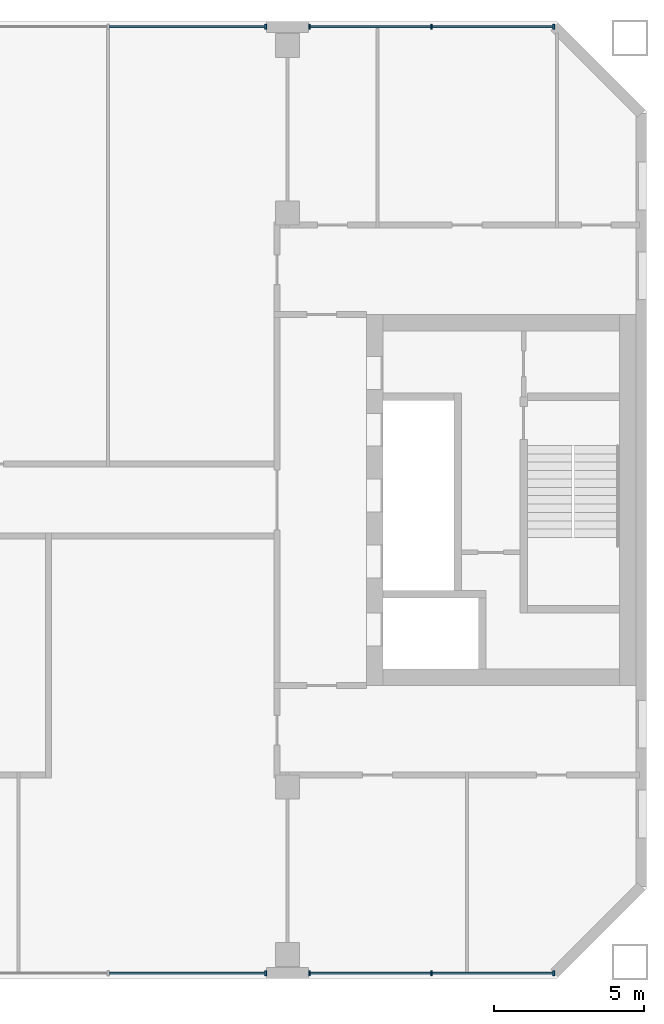
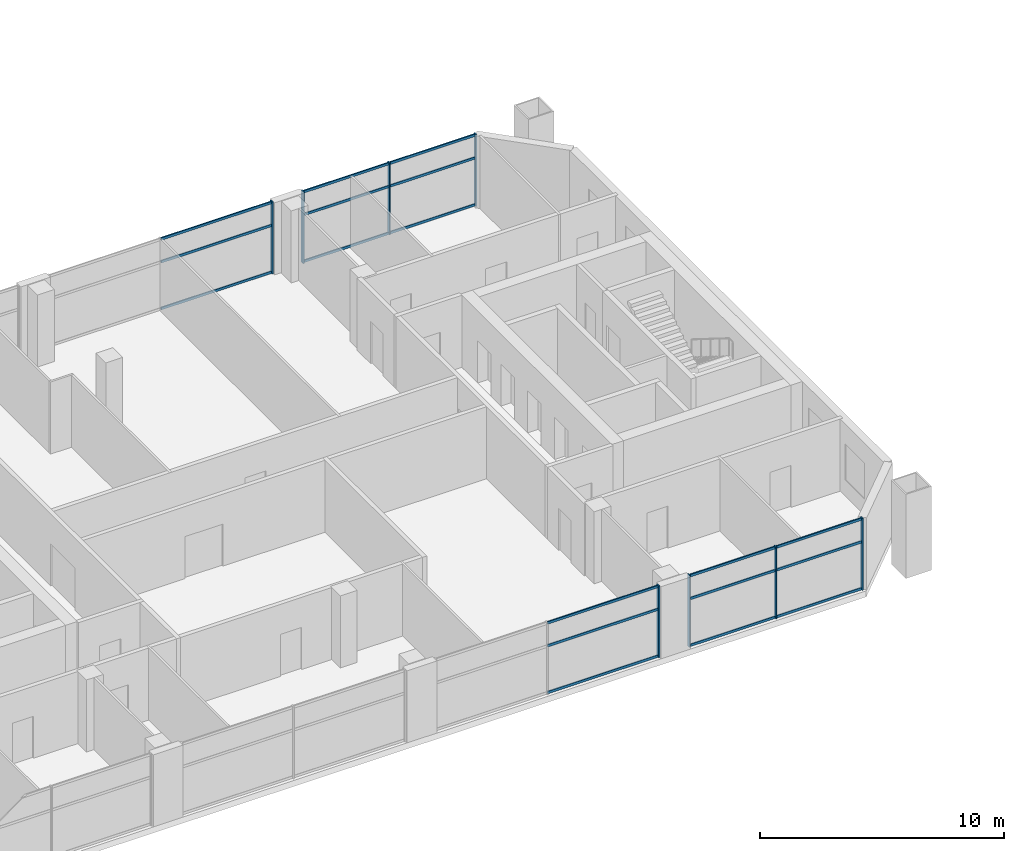
# One storey, part 4 of 17: 26 members, 4 elements without a shape of their own.
"""IFC4 building model written with IfcOpenShell, lengths in metres."""

from ifc_helpers import new_model, si_unit, direction, frame, origin, origin_2d, place, context, subcontext, project, spatial, rectangle, extrude, material, material_profile, profile_set, type_object, element, aggregate, save


model = new_model("IFC4")

# Units and contexts
model_context = context("Model", 3, precision=1e-05, world=origin(), true_north=direction((0.0, 1.0)))
body_context = subcontext(model_context, "Body", "Model", "MODEL_VIEW")
ifc_project = project(units=[si_unit("LENGTHUNIT", "METRE"), si_unit("AREAUNIT", "SQUARE_METRE"), si_unit("VOLUMEUNIT", "CUBIC_METRE"), si_unit("PLANEANGLEUNIT", "RADIAN"), si_unit("MASSUNIT", "GRAM", prefix="KILO")], contexts=[model_context])

# Site, building, storey
site_placement = place(None, origin())
site = spatial("IfcSite", under=ifc_project, at=site_placement, CompositionType="ELEMENT")
building_placement = place(site_placement, origin())
building = spatial("IfcBuilding", under=site, at=building_placement, Name="Tuart Gate Housing", CompositionType="ELEMENT")
storey_placement = place(building_placement, frame((0.0, 0.0, 119.5)))
storey = spatial("IfcBuildingStorey", under=building, at=storey_placement, Name="L33", CompositionType="ELEMENT", Elevation=119.5)

# Curtain wall, member
ifc_material_1 = material(Name="Aluminium and clear glass", Category="aluminium")
curtain_wall_type = type_object("IfcCurtainWallType", Name="Community floor glazing", PredefinedType="USERDEFINED", material=ifc_material_1)
curtain_wall_1_placement = place(storey_placement, origin())
curtain_wall_1 = element("IfcCurtainWall", 1, at=curtain_wall_1_placement, inside=storey, type_object=curtain_wall_type, Name="Community floor glazing A-S L33", ObjectType="COMMUNITY FLOOR GLAZING", PredefinedType="USERDEFINED")
ifc_material_2 = material(Name="Anodised aluminium", Category="aluminium")
ifc_material_profile_1 = material_profile(ifc_material_2, rectangle(XDim=0.06005859375, YDim=0.159912109375, at=origin_2d()), Name="60x160")
ifc_profile_set_1 = profile_set([ifc_material_profile_1], Name="Anodised aluminium")
member_type_1 = type_object("IfcMemberType", Name="Mullion 60 x 160", PredefinedType="MULLION", material=ifc_profile_set_1)
member_1_placement = place(storey_placement, frame((63.27001953125, 54.179931640625, 0.0), z_axis=(0.0, 0.0, 1.0), x_axis=(1.0, 0.0, 0.0)))
member_1 = element("IfcMember", 2, at=member_1_placement, type_object=member_type_1, Name="CW3 mullion 3", PredefinedType="MULLION", context=body_context, shape_type="SweptSolid", body=[
    extrude(rectangle(XDim=0.06005859375, YDim=0.159912109375, at=origin_2d()), origin(), (0.0, 0.0, 1.0), 3.60009765625),
])

# Curtain wall, members
curtain_wall_2_placement = place(storey_placement, origin())
curtain_wall_2 = element("IfcCurtainWall", 3, at=curtain_wall_2_placement, inside=storey, type_object=curtain_wall_type, Name="Community floor glazing A-S L33", ObjectType="COMMUNITY FLOOR GLAZING", PredefinedType="USERDEFINED")
member_2_placement = place(storey_placement, frame((64.72998046875, 54.179931640625, 0.0), z_axis=(0.0, 0.0, 1.0), x_axis=(1.0, 0.0, 0.0)))
member_2 = element("IfcMember", 4, at=member_2_placement, type_object=member_type_1, Name="CW3 mullion 1", PredefinedType="MULLION", context=body_context, shape_type="SweptSolid", body=[
    extrude(rectangle(XDim=0.06005859375, YDim=0.159912109375, at=origin_2d()), origin(), (0.0, 0.0, 1.0), 3.60009765625),
])
member_3_placement = place(storey_placement, frame((68.812744140625, 54.179931640625, 0.0), z_axis=(0.0, 0.0, 1.0), x_axis=(1.0, 0.0, 0.0)))
member_3 = element("IfcMember", 5, at=member_3_placement, type_object=member_type_1, Name="CW3 mullion 2", PredefinedType="MULLION", context=body_context, shape_type="SweptSolid", body=[
    extrude(rectangle(XDim=0.06005859375, YDim=0.159912109375, at=origin_2d()), origin(), (0.0, 0.0, 1.0), 3.60009765625),
])
member_4_placement = place(storey_placement, frame((72.8955078125, 54.179931640625, 0.0), z_axis=(0.0, 0.0, 1.0), x_axis=(1.0, 0.0, 0.0)))
member_4 = element("IfcMember", 6, at=member_4_placement, type_object=member_type_1, Name="CW3 mullion 3", PredefinedType="MULLION", context=body_context, shape_type="SweptSolid", body=[
    extrude(rectangle(XDim=0.06005859375, YDim=0.159912109375, at=origin_2d()), origin(), (0.0, 0.0, 1.0), 3.60009765625),
])

curtain_wall_3_placement = place(storey_placement, origin())
curtain_wall_3 = element("IfcCurtainWall", 7, at=curtain_wall_3_placement, inside=storey, type_object=curtain_wall_type, Name="Community floor glazing A-N L33", ObjectType="COMMUNITY FLOOR GLAZING", PredefinedType="USERDEFINED")
member_5_placement = place(storey_placement, frame((72.8955078125, 85.820068359375, 0.0), z_axis=(0.0, 0.0, 1.0), x_axis=(-1.0, 0.0, 0.0)))
member_5 = element("IfcMember", 8, at=member_5_placement, type_object=member_type_1, Name="CW3 mullion 1", PredefinedType="MULLION", context=body_context, shape_type="SweptSolid", body=[
    extrude(rectangle(XDim=0.06005859375, YDim=0.159912109375, at=origin_2d()), origin(), (0.0, 0.0, 1.0), 3.60009765625),
])
member_6_placement = place(storey_placement, frame((68.812744140625, 85.820068359375, 0.0), z_axis=(0.0, 0.0, 1.0), x_axis=(-1.0, 0.0, 0.0)))
member_6 = element("IfcMember", 9, at=member_6_placement, type_object=member_type_1, Name="CW3 mullion 2", PredefinedType="MULLION", context=body_context, shape_type="SweptSolid", body=[
    extrude(rectangle(XDim=0.06005859375, YDim=0.159912109375, at=origin_2d()), origin(), (0.0, 0.0, 1.0), 3.60009765625),
])
member_7_placement = place(storey_placement, frame((64.72998046875, 85.820068359375, 0.0), z_axis=(0.0, 0.0, 1.0), x_axis=(-1.0, 0.0, 0.0)))
member_7 = element("IfcMember", 10, at=member_7_placement, type_object=member_type_1, Name="CW3 mullion 3", PredefinedType="MULLION", context=body_context, shape_type="SweptSolid", body=[
    extrude(rectangle(XDim=0.06005859375, YDim=0.159912109375, at=origin_2d()), origin(), (0.0, 0.0, 1.0), 3.60009765625),
])

# Curtain wall, member
curtain_wall_4_placement = place(storey_placement, origin())
curtain_wall_4 = element("IfcCurtainWall", 11, at=curtain_wall_4_placement, inside=storey, type_object=curtain_wall_type, Name="Community floor glazing A-N L33", ObjectType="COMMUNITY FLOOR GLAZING", PredefinedType="USERDEFINED")
member_8_placement = place(storey_placement, frame((63.27001953125, 85.820068359375, 0.0), z_axis=(0.0, 0.0, 1.0), x_axis=(-1.0, 0.0, 0.0)))
member_8 = element("IfcMember", 12, at=member_8_placement, type_object=member_type_1, Name="CW3 mullion 1", PredefinedType="MULLION", context=body_context, shape_type="SweptSolid", body=[
    extrude(rectangle(XDim=0.06005859375, YDim=0.159912109375, at=origin_2d()), origin(), (0.0, 0.0, 1.0), 3.60009765625),
])

# Member
ifc_material_3 = material(Name="Anodised aluminium", Category="aluminium")
ifc_material_profile_2 = material_profile(ifc_material_3, rectangle(XDim=0.06005859375, YDim=0.1201171875, at=origin_2d()), Name="60x120")
ifc_profile_set_2 = profile_set([ifc_material_profile_2], Name="Anodised aluminium")
member_type_2 = type_object("IfcMemberType", Name="Transom 60 x 120", PredefinedType="USERDEFINED", material=ifc_profile_set_2)
member_9_placement = place(storey_placement, frame((58.030029296875, 54.179931640625, 0.06005859375), z_axis=(1.0, 0.0, 0.0), x_axis=(0.0, 1.0, 0.0)))
member_9 = element("IfcMember", 13, at=member_9_placement, type_object=member_type_2, Name="CW3 transom 2.1", ObjectType="TRANSOM", PredefinedType="USERDEFINED", context=body_context, shape_type="SweptSolid", body=[
    extrude(rectangle(XDim=0.06005859375, YDim=0.1201171875, at=origin_2d()), origin(), (0.0, 0.0, 1.0), 5.2099609375),
])

member_10_placement = place(storey_placement, frame((58.030029296875, 54.179931640625, 2.39990234375), z_axis=(1.0, 0.0, 0.0), x_axis=(0.0, 1.0, 0.0)))
member_10 = element("IfcMember", 14, at=member_10_placement, type_object=member_type_2, Name="CW3 transom 2.2", ObjectType="TRANSOM", PredefinedType="USERDEFINED", context=body_context, shape_type="SweptSolid", body=[
    extrude(rectangle(XDim=0.06005859375, YDim=0.1201171875, at=origin_2d()), origin(), (0.0, 0.0, 1.0), 5.2099609375),
])

member_11_placement = place(storey_placement, frame((58.030029296875, 54.179931640625, 3.5400390625), z_axis=(1.0, 0.0, 0.0), x_axis=(0.0, 1.0, 0.0)))
member_11 = element("IfcMember", 15, at=member_11_placement, type_object=member_type_2, Name="CW3 transom 2.3", ObjectType="TRANSOM", PredefinedType="USERDEFINED", context=body_context, shape_type="SweptSolid", body=[
    extrude(rectangle(XDim=0.06005859375, YDim=0.1201171875, at=origin_2d()), origin(), (0.0, 0.0, 1.0), 5.2099609375),
])

aggregate(curtain_wall_1, [member_1, member_9, member_10, member_11])

member_12_placement = place(storey_placement, frame((64.760009765625, 54.179931640625, 0.06005859375), z_axis=(1.0, 0.0, 0.0), x_axis=(0.0, 1.0, 0.0)))
member_12 = element("IfcMember", 16, at=member_12_placement, type_object=member_type_2, Name="CW3 transom 1.1", ObjectType="TRANSOM", PredefinedType="USERDEFINED", context=body_context, shape_type="SweptSolid", body=[
    extrude(rectangle(XDim=0.06005859375, YDim=0.1201171875, at=origin_2d()), origin(), (0.0, 0.0, 1.0), 4.022705078125),
])

member_13_placement = place(storey_placement, frame((64.760009765625, 54.179931640625, 2.39990234375), z_axis=(1.0, 0.0, 0.0), x_axis=(0.0, 1.0, 0.0)))
member_13 = element("IfcMember", 17, at=member_13_placement, type_object=member_type_2, Name="CW3 transom 1.2", ObjectType="TRANSOM", PredefinedType="USERDEFINED", context=body_context, shape_type="SweptSolid", body=[
    extrude(rectangle(XDim=0.06005859375, YDim=0.1201171875, at=origin_2d()), origin(), (0.0, 0.0, 1.0), 4.022705078125),
])

member_14_placement = place(storey_placement, frame((64.760009765625, 54.179931640625, 3.5400390625), z_axis=(1.0, 0.0, 0.0), x_axis=(0.0, 1.0, 0.0)))
member_14 = element("IfcMember", 18, at=member_14_placement, type_object=member_type_2, Name="CW3 transom 1.3", ObjectType="TRANSOM", PredefinedType="USERDEFINED", context=body_context, shape_type="SweptSolid", body=[
    extrude(rectangle(XDim=0.06005859375, YDim=0.1201171875, at=origin_2d()), origin(), (0.0, 0.0, 1.0), 4.022705078125),
])

member_15_placement = place(storey_placement, frame((68.8427734375, 54.179931640625, 0.06005859375), z_axis=(1.0, 0.0, 0.0), x_axis=(0.0, 1.0, 0.0)))
member_15 = element("IfcMember", 19, at=member_15_placement, type_object=member_type_2, Name="CW3 transom 2.1", ObjectType="TRANSOM", PredefinedType="USERDEFINED", context=body_context, shape_type="SweptSolid", body=[
    extrude(rectangle(XDim=0.06005859375, YDim=0.1201171875, at=origin_2d()), origin(), (0.0, 0.0, 1.0), 4.022705078125),
])

member_16_placement = place(storey_placement, frame((68.8427734375, 54.179931640625, 2.39990234375), z_axis=(1.0, 0.0, 0.0), x_axis=(0.0, 1.0, 0.0)))
member_16 = element("IfcMember", 20, at=member_16_placement, type_object=member_type_2, Name="CW3 transom 2.2", ObjectType="TRANSOM", PredefinedType="USERDEFINED", context=body_context, shape_type="SweptSolid", body=[
    extrude(rectangle(XDim=0.06005859375, YDim=0.1201171875, at=origin_2d()), origin(), (0.0, 0.0, 1.0), 4.022705078125),
])

member_17_placement = place(storey_placement, frame((68.8427734375, 54.179931640625, 3.5400390625), z_axis=(1.0, 0.0, 0.0), x_axis=(0.0, 1.0, 0.0)))
member_17 = element("IfcMember", 21, at=member_17_placement, type_object=member_type_2, Name="CW3 transom 2.3", ObjectType="TRANSOM", PredefinedType="USERDEFINED", context=body_context, shape_type="SweptSolid", body=[
    extrude(rectangle(XDim=0.06005859375, YDim=0.1201171875, at=origin_2d()), origin(), (0.0, 0.0, 1.0), 4.022705078125),
])

aggregate(curtain_wall_2, [member_2, member_3, member_4, member_12, member_13, member_14, member_15, member_16, member_17])

member_18_placement = place(storey_placement, frame((72.865478515625, 85.820068359375, 0.06005859375), z_axis=(-1.0, 0.0, 0.0), x_axis=(0.0, -1.0, 0.0)))
member_18 = element("IfcMember", 22, at=member_18_placement, type_object=member_type_2, Name="CW3 transom 1.1", ObjectType="TRANSOM", PredefinedType="USERDEFINED", context=body_context, shape_type="SweptSolid", body=[
    extrude(rectangle(XDim=0.06005859375, YDim=0.1201171875, at=origin_2d()), origin(), (0.0, 0.0, 1.0), 4.022705078125),
])

member_19_placement = place(storey_placement, frame((72.865478515625, 85.820068359375, 2.39990234375), z_axis=(-1.0, 0.0, 0.0), x_axis=(0.0, -1.0, 0.0)))
member_19 = element("IfcMember", 23, at=member_19_placement, type_object=member_type_2, Name="CW3 transom 1.2", ObjectType="TRANSOM", PredefinedType="USERDEFINED", context=body_context, shape_type="SweptSolid", body=[
    extrude(rectangle(XDim=0.06005859375, YDim=0.1201171875, at=origin_2d()), origin(), (0.0, 0.0, 1.0), 4.022705078125),
])

member_20_placement = place(storey_placement, frame((72.865478515625, 85.820068359375, 3.5400390625), z_axis=(-1.0, 0.0, 0.0), x_axis=(0.0, -1.0, 0.0)))
member_20 = element("IfcMember", 24, at=member_20_placement, type_object=member_type_2, Name="CW3 transom 1.3", ObjectType="TRANSOM", PredefinedType="USERDEFINED", context=body_context, shape_type="SweptSolid", body=[
    extrude(rectangle(XDim=0.06005859375, YDim=0.1201171875, at=origin_2d()), origin(), (0.0, 0.0, 1.0), 4.022705078125),
])

member_21_placement = place(storey_placement, frame((68.78271484375, 85.820068359375, 0.06005859375), z_axis=(-1.0, 0.0, 0.0), x_axis=(0.0, -1.0, 0.0)))
member_21 = element("IfcMember", 25, at=member_21_placement, type_object=member_type_2, Name="CW3 transom 2.1", ObjectType="TRANSOM", PredefinedType="USERDEFINED", context=body_context, shape_type="SweptSolid", body=[
    extrude(rectangle(XDim=0.06005859375, YDim=0.1201171875, at=origin_2d()), origin(), (0.0, 0.0, 1.0), 4.022705078125),
])

member_22_placement = place(storey_placement, frame((68.78271484375, 85.820068359375, 2.39990234375), z_axis=(-1.0, 0.0, 0.0), x_axis=(0.0, -1.0, 0.0)))
member_22 = element("IfcMember", 26, at=member_22_placement, type_object=member_type_2, Name="CW3 transom 2.2", ObjectType="TRANSOM", PredefinedType="USERDEFINED", context=body_context, shape_type="SweptSolid", body=[
    extrude(rectangle(XDim=0.06005859375, YDim=0.1201171875, at=origin_2d()), origin(), (0.0, 0.0, 1.0), 4.022705078125),
])

member_23_placement = place(storey_placement, frame((68.78271484375, 85.820068359375, 3.5400390625), z_axis=(-1.0, 0.0, 0.0), x_axis=(0.0, -1.0, 0.0)))
member_23 = element("IfcMember", 27, at=member_23_placement, type_object=member_type_2, Name="CW3 transom 2.3", ObjectType="TRANSOM", PredefinedType="USERDEFINED", context=body_context, shape_type="SweptSolid", body=[
    extrude(rectangle(XDim=0.06005859375, YDim=0.1201171875, at=origin_2d()), origin(), (0.0, 0.0, 1.0), 4.022705078125),
])

aggregate(curtain_wall_3, [member_5, member_6, member_7, member_18, member_19, member_20, member_21, member_22, member_23])

member_24_placement = place(storey_placement, frame((63.239990234375, 85.820068359375, 0.06005859375), z_axis=(-1.0, 0.0, 0.0), x_axis=(0.0, -1.0, 0.0)))
member_24 = element("IfcMember", 28, at=member_24_placement, type_object=member_type_2, Name="CW3 transom 1.1", ObjectType="TRANSOM", PredefinedType="USERDEFINED", context=body_context, shape_type="SweptSolid", body=[
    extrude(rectangle(XDim=0.06005859375, YDim=0.1201171875, at=origin_2d()), origin(), (0.0, 0.0, 1.0), 5.2099609375),
])

member_25_placement = place(storey_placement, frame((63.239990234375, 85.820068359375, 2.39990234375), z_axis=(-1.0, 0.0, 0.0), x_axis=(0.0, -1.0, 0.0)))
member_25 = element("IfcMember", 29, at=member_25_placement, type_object=member_type_2, Name="CW3 transom 1.2", ObjectType="TRANSOM", PredefinedType="USERDEFINED", context=body_context, shape_type="SweptSolid", body=[
    extrude(rectangle(XDim=0.06005859375, YDim=0.1201171875, at=origin_2d()), origin(), (0.0, 0.0, 1.0), 5.2099609375),
])

member_26_placement = place(storey_placement, frame((63.239990234375, 85.820068359375, 3.5400390625), z_axis=(-1.0, 0.0, 0.0), x_axis=(0.0, -1.0, 0.0)))
member_26 = element("IfcMember", 30, at=member_26_placement, type_object=member_type_2, Name="CW3 transom 1.3", ObjectType="TRANSOM", PredefinedType="USERDEFINED", context=body_context, shape_type="SweptSolid", body=[
    extrude(rectangle(XDim=0.06005859375, YDim=0.1201171875, at=origin_2d()), origin(), (0.0, 0.0, 1.0), 5.2099609375),
])

aggregate(curtain_wall_4, [member_8, member_24, member_25, member_26])

save(model, "model.ifc")
